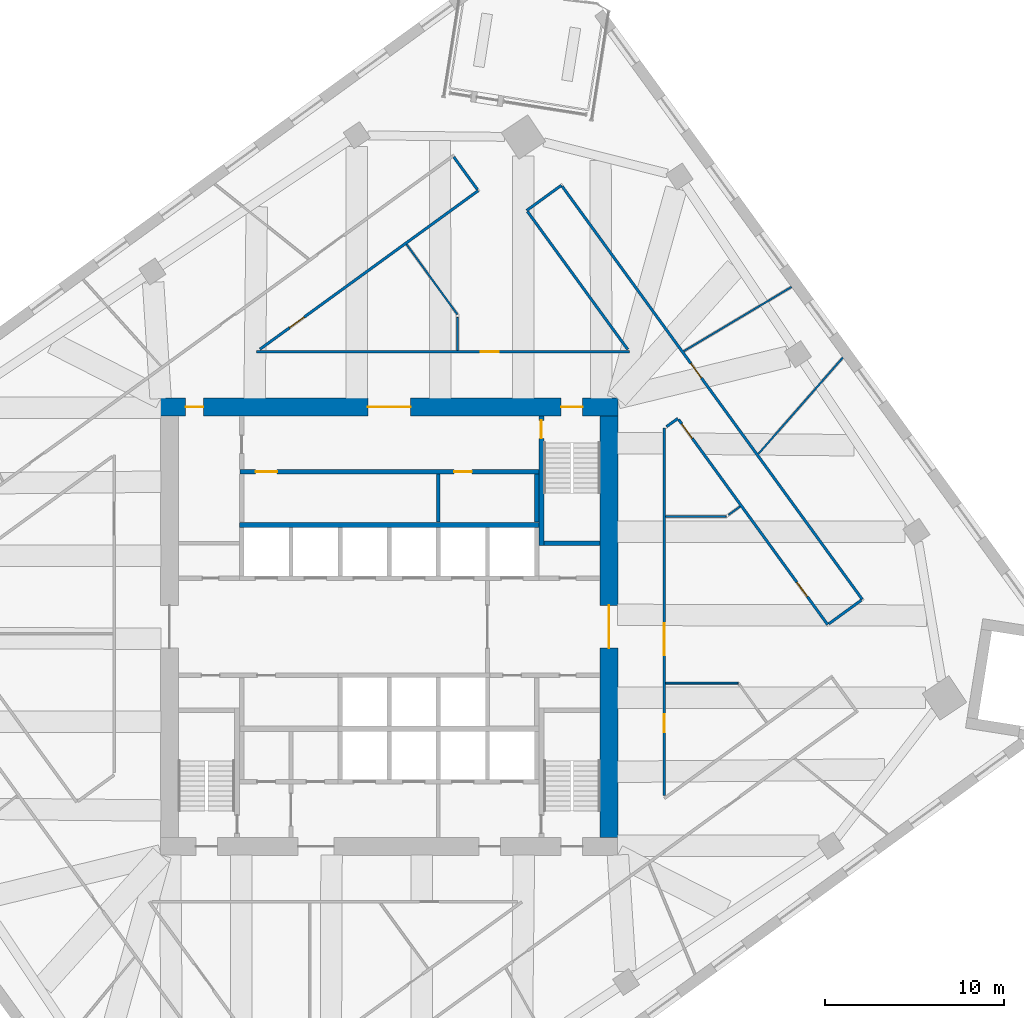
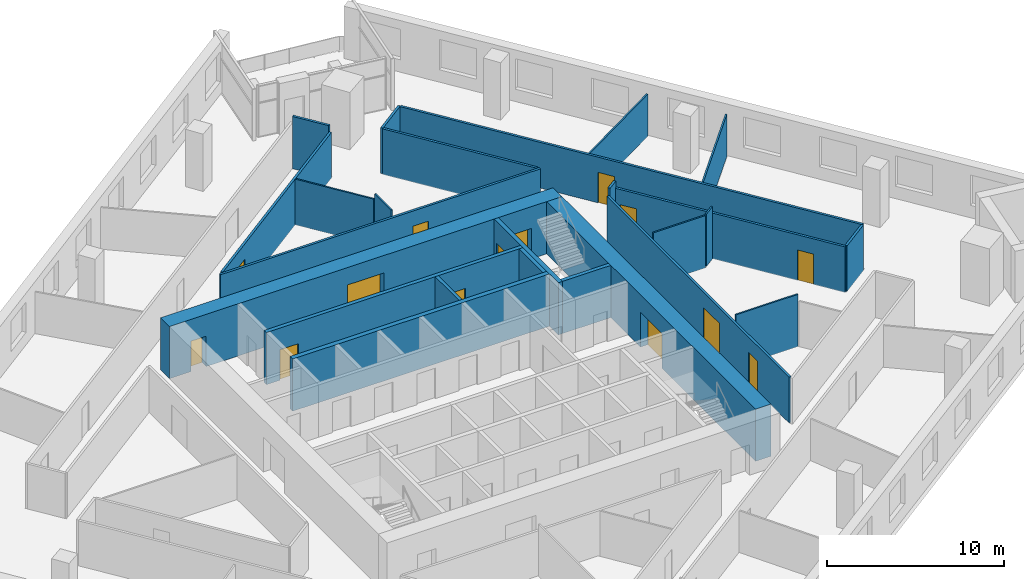
# One storey, part 8 of 11: 25 walls, 14 doors, 14 openings.
"""IFC4 building model written with IfcOpenShell, lengths in metres."""

from ifc_helpers import new_model, si_unit, direction, frame, frame_2d, origin, place, context, subcontext, project, spatial, rectangle, extrude, material, layer, layer_set, type_object, element, fill, save


model = new_model("IFC4")

# Units and contexts
model_context = context("Model", 3, precision=1e-05, world=origin(), true_north=direction((0.0, 1.0)))
body_context = subcontext(model_context, "Body", "Model", "MODEL_VIEW")
ifc_project = project(units=[si_unit("LENGTHUNIT", "METRE"), si_unit("AREAUNIT", "SQUARE_METRE"), si_unit("VOLUMEUNIT", "CUBIC_METRE"), si_unit("PLANEANGLEUNIT", "RADIAN"), si_unit("MASSUNIT", "GRAM", prefix="KILO")], contexts=[model_context])

# Site, building, storey
site_placement = place(None, origin())
site = spatial("IfcSite", under=ifc_project, at=site_placement, CompositionType="ELEMENT")
building_placement = place(site_placement, origin())
building = spatial("IfcBuilding", under=site, at=building_placement, Name="Dilmun Exchange Tower", CompositionType="ELEMENT")
storey_placement = place(building_placement, frame((0.0, 0.0, 163.699951171875)))
storey = spatial("IfcBuildingStorey", under=building, at=storey_placement, Name="L38", CompositionType="ELEMENT", Elevation=163.699951171875)

# Walls
ifc_material_1 = material(Name="Concrete C40/50", Category="concrete")
ifc_layer_1 = layer(ifc_material_1, 0.199951171875)
ifc_layer_set_1 = layer_set([ifc_layer_1], Name="Concrete C40/50")
wall_type_1 = type_object("IfcWallType", Name="Core partition wall 200", PredefinedType="PARTITIONING", material=ifc_layer_set_1)
wall_1_placement = place(storey_placement, frame((2.75, 5.85498046875, 0.0), z_axis=(0.0, 0.0, 1.0), x_axis=(0.0, 1.0, 0.0)))
element("IfcWall", 1, at=wall_1_placement, inside=storey, type_object=wall_type_1, Name="L38 core partition wall 16", PredefinedType="PARTITIONING", context=body_context, shape_type="SweptSolid", body=[
    extrude(rectangle(XDim=2.68994140625, YDim=0.199951171875, at=frame_2d((1.344970703125, 0.0))), origin(), (0.0, 0.0, 1.0), 3.60009765625),
])
ifc_layer_2 = layer(ifc_material_1, 0.25)
ifc_layer_set_2 = layer_set([ifc_layer_2], Name="Concrete C40/50")
wall_type_2 = type_object("IfcWallType", Name="Core partition wall 250", PredefinedType="PARTITIONING", material=ifc_layer_set_2)
wall_2_placement = place(storey_placement, frame((8.25, 5.85498046875, 0.0), z_axis=(0.0, 0.0, 1.0), x_axis=(0.0, 1.0, 0.0)))
element("IfcWall", 2, at=wall_2_placement, inside=storey, type_object=wall_type_2, Name="L38 core partition wall 17", PredefinedType="PARTITIONING", context=body_context, shape_type="SweptSolid", body=[
    extrude(rectangle(XDim=2.68994140625, YDim=0.25, at=frame_2d((1.344970703125, 0.0))), origin(), (0.0, 0.0, 1.0), 3.60009765625),
])

# Wall, openings, doors
wall_3_placement = place(storey_placement, frame((-8.35009765625, 8.675048828125, 0.0), z_axis=(0.0, 0.0, 1.0), x_axis=(1.0, 0.0, 0.0)))
wall_3 = element("IfcWall", 3, at=wall_3_placement, inside=storey, type_object=wall_type_2, Name="L38 core partition wall 18", PredefinedType="PARTITIONING", context=body_context, shape_type="SweptSolid", body=[
    extrude(rectangle(XDim=16.72021484375, YDim=0.25, at=frame_2d((8.360107421875, 0.0))), origin(), (0.0, 0.0, 1.0), 3.60009765625),
])
opening_1_placement = place(wall_3_placement, frame((0.875, 0.0, 0.0)))
opening_1 = element("IfcOpeningElement", 4, at=opening_1_placement, cuts=wall_3, Name="Opening CD3", PredefinedType="OPENING", context=body_context, shape_type="SweptSolid", body=[
    extrude(rectangle(XDim=1.199951171875, YDim=2.10009765625, at=frame_2d((0.60009765625, 1.050048828125))), frame((0.0, 0.135009765625, 0.0), z_axis=(0.0, -1.0, 0.0), x_axis=(1.0, 0.0, 0.0)), (0.0, 0.0, 1.0), 0.27001953125),
])
opening_2_placement = place(wall_3_placement, frame((11.97509765625, 0.0, 0.0)))
opening_2 = element("IfcOpeningElement", 5, at=opening_2_placement, cuts=wall_3, Name="Opening CD4", PredefinedType="OPENING", context=body_context, shape_type="SweptSolid", body=[
    extrude(rectangle(XDim=1.0, YDim=2.10009765625, at=frame_2d((0.5, 1.050048828125))), frame((0.0, 0.135009765625, 0.0), z_axis=(0.0, -1.0, 0.0), x_axis=(1.0, 0.0, 0.0)), (0.0, 0.0, 1.0), 0.27001953125),
])
ifc_material_2 = material(Name="Fire-rated steel door set", Category="steel")
door_type_1 = type_object("IfcDoorType", Name="Core room door 1000x2100", OperationType="SINGLE_SWING_LEFT", PredefinedType="DOOR", material=ifc_material_2)
door_1_placement = place(opening_2_placement, origin())
door_1 = element("IfcDoor", 6, at=door_1_placement, inside=storey, type_object=door_type_1, Name="L38 door Tenant services room", OperationType="SINGLE_SWING_LEFT", OverallHeight=2.10009765625, OverallWidth=1.0, PredefinedType="DOOR", context=body_context, shape_type="SweptSolid", body=[
    extrude(rectangle(XDim=1.0, YDim=2.10009765625, at=frame_2d((0.5, 1.050048828125))), frame((0.0, 0.02490234375, 0.0), z_axis=(0.0, -1.0, 0.0), x_axis=(1.0, 0.0, 0.0)), (0.0, 0.0, 1.0), 0.050048828125),
])
fill(opening_2, door_1)
door_type_2 = type_object("IfcDoorType", Name="Stair exit door 1200x2100", OperationType="SINGLE_SWING_LEFT", PredefinedType="DOOR", material=ifc_material_2)
door_2_placement = place(opening_1_placement, origin())
door_2 = element("IfcDoor", 7, at=door_2_placement, inside=storey, type_object=door_type_2, Name="L38 door Building management office", OperationType="SINGLE_SWING_LEFT", OverallHeight=2.10009765625, OverallWidth=1.199951171875, PredefinedType="DOOR", context=body_context, shape_type="SweptSolid", body=[
    extrude(rectangle(XDim=1.199951171875, YDim=2.10009765625, at=frame_2d((0.60009765625, 1.050048828125))), frame((0.0, 0.02490234375, 0.0), z_axis=(0.0, -1.0, 0.0), x_axis=(1.0, 0.0, 0.0)), (0.0, 0.0, 1.0), 0.050048828125),
])
fill(opening_1, door_2)

ifc_material_3 = material(Name="Concrete C70/85", Category="concrete")
ifc_layer_3 = layer(ifc_material_3, 1.0)
ifc_layer_set_3 = layer_set([ifc_layer_3], Name="Concrete C70/85")
wall_type_3 = type_object("IfcWallType", Name="Core shear wall 1000 Concrete C70/85", PredefinedType="SHEAR", material=ifc_layer_set_3)
wall_4_placement = place(storey_placement, frame((-12.800048828125, 12.300048828125, 0.0), z_axis=(0.0, 0.0, 1.0), x_axis=(1.0, 0.0, 0.0)))
wall_4 = element("IfcWall", 8, at=wall_4_placement, inside=storey, type_object=wall_type_3, Name="L38 core shear wall N", PredefinedType="SHEAR", context=body_context, shape_type="SweptSolid", body=[
    extrude(rectangle(XDim=25.60009765625, YDim=1.0, at=frame_2d((12.800048828125, 0.0))), origin(), (0.0, 0.0, 1.0), 3.60009765625),
])
opening_3_placement = place(wall_4_placement, frame((11.60009765625, 0.0, 0.0)))
opening_3 = element("IfcOpeningElement", 9, at=opening_3_placement, cuts=wall_4, Name="Opening CD1", PredefinedType="OPENING", context=body_context, shape_type="SweptSolid", body=[
    extrude(rectangle(XDim=2.39990234375, YDim=2.39990234375, at=frame_2d((1.199951171875, 1.199951171875))), frame((0.0, 0.510009765625, 0.0), z_axis=(0.0, -1.0, 0.0), x_axis=(1.0, 0.0, 0.0)), (0.0, 0.0, 1.0), 1.02001953125),
])
opening_4_placement = place(wall_4_placement, frame((22.425048828125, 0.0, 0.0)))
opening_4 = element("IfcOpeningElement", 10, at=opening_4_placement, cuts=wall_4, Name="Opening CD3", PredefinedType="OPENING", context=body_context, shape_type="SweptSolid", body=[
    extrude(rectangle(XDim=1.199951171875, YDim=2.10009765625, at=frame_2d((0.60009765625, 1.050048828125))), frame((0.0, 0.510009765625, 0.0), z_axis=(0.0, -1.0, 0.0), x_axis=(1.0, 0.0, 0.0)), (0.0, 0.0, 1.0), 1.02001953125),
])
opening_5_placement = place(wall_4_placement, frame((1.39990234375, 0.0, 0.0)))
opening_5 = element("IfcOpeningElement", 11, at=opening_5_placement, cuts=wall_4, Name="Opening CD4", PredefinedType="OPENING", context=body_context, shape_type="SweptSolid", body=[
    extrude(rectangle(XDim=1.0, YDim=2.10009765625, at=frame_2d((0.5, 1.050048828125))), frame((0.0, 0.510009765625, 0.0), z_axis=(0.0, -1.0, 0.0), x_axis=(1.0, 0.0, 0.0)), (0.0, 0.0, 1.0), 1.02001953125),
])
door_type_3 = type_object("IfcDoorType", Name="Core lobby door 2400x2400", OperationType="DOUBLE_DOOR_DOUBLE_SWING", PredefinedType="DOOR", material=ifc_material_2)
door_3_placement = place(opening_3_placement, origin())
door_3 = element("IfcDoor", 12, at=door_3_placement, inside=storey, type_object=door_type_3, Name="L38 door North lift lobby", OperationType="SINGLE_SWING_LEFT", OverallHeight=2.39990234375, OverallWidth=2.39990234375, PredefinedType="DOOR", context=body_context, shape_type="SweptSolid", body=[
    extrude(rectangle(XDim=2.39990234375, YDim=2.39990234375, at=frame_2d((1.199951171875, 1.199951171875))), frame((0.0, 0.02490234375, 0.0), z_axis=(0.0, -1.0, 0.0), x_axis=(1.0, 0.0, 0.0)), (0.0, 0.0, 1.0), 0.050048828125),
])
fill(opening_3, door_3)
door_4_placement = place(opening_5_placement, origin())
door_4 = element("IfcDoor", 13, at=door_4_placement, inside=storey, type_object=door_type_1, Name="L38 door North-west core rooms", OperationType="SINGLE_SWING_LEFT", OverallHeight=2.10009765625, OverallWidth=1.0, PredefinedType="DOOR", context=body_context, shape_type="SweptSolid", body=[
    extrude(rectangle(XDim=1.0, YDim=2.10009765625, at=frame_2d((0.5, 1.050048828125))), frame((0.0, 0.02490234375, 0.0), z_axis=(0.0, -1.0, 0.0), x_axis=(1.0, 0.0, 0.0)), (0.0, 0.0, 1.0), 0.050048828125),
])
fill(opening_5, door_4)
door_5_placement = place(opening_4_placement, origin())
door_5 = element("IfcDoor", 14, at=door_5_placement, inside=storey, type_object=door_type_2, Name="L38 door Stair ST1", OperationType="SINGLE_SWING_LEFT", OverallHeight=2.10009765625, OverallWidth=1.199951171875, PredefinedType="DOOR", context=body_context, shape_type="SweptSolid", body=[
    extrude(rectangle(XDim=1.199951171875, YDim=2.10009765625, at=frame_2d((0.60009765625, 1.050048828125))), frame((0.0, 0.02490234375, 0.0), z_axis=(0.0, -1.0, 0.0), x_axis=(1.0, 0.0, 0.0)), (0.0, 0.0, 1.0), 0.050048828125),
])
fill(opening_4, door_5)

# Wall, opening, door
wall_5_placement = place(storey_placement, frame((12.300048828125, -11.800048828125, 0.0), z_axis=(0.0, 0.0, 1.0), x_axis=(0.0, 1.0, 0.0)))
wall_5 = element("IfcWall", 15, at=wall_5_placement, inside=storey, type_object=wall_type_3, Name="L38 core shear wall E", PredefinedType="SHEAR", context=body_context, shape_type="SweptSolid", body=[
    extrude(rectangle(XDim=23.60009765625, YDim=1.0, at=frame_2d((11.800048828125, 0.0))), origin(), (0.0, 0.0, 1.0), 3.60009765625),
])
opening_6_placement = place(wall_5_placement, frame((10.60009765625, 0.0, 0.0)))
opening_6 = element("IfcOpeningElement", 16, at=opening_6_placement, cuts=wall_5, Name="Opening CD1", PredefinedType="OPENING", context=body_context, shape_type="SweptSolid", body=[
    extrude(rectangle(XDim=2.39990234375, YDim=2.39990234375, at=frame_2d((1.199951171875, 1.199951171875))), frame((0.0, 0.510009765625, 0.0), z_axis=(0.0, -1.0, 0.0), x_axis=(1.0, 0.0, 0.0)), (0.0, 0.0, 1.0), 1.02001953125),
])
door_6_placement = place(opening_6_placement, origin())
door_6 = element("IfcDoor", 17, at=door_6_placement, inside=storey, type_object=door_type_3, Name="L38 door Central lift lobby", OperationType="SINGLE_SWING_LEFT", OverallHeight=2.39990234375, OverallWidth=2.39990234375, PredefinedType="DOOR", context=body_context, shape_type="SweptSolid", body=[
    extrude(rectangle(XDim=2.39990234375, YDim=2.39990234375, at=frame_2d((1.199951171875, 1.199951171875))), frame((0.0, 0.02490234375, 0.0), z_axis=(0.0, -1.0, 0.0), x_axis=(1.0, 0.0, 0.0)), (0.0, 0.0, 1.0), 0.050048828125),
])
fill(opening_6, door_6)

ifc_material_4 = material(Name="Corridor wall 150")
ifc_layer_4 = layer(ifc_material_4, 0.14990234375)
ifc_layer_set_4 = layer_set([ifc_layer_4], Name="Corridor wall 150")
wall_type_4 = type_object("IfcWallType", Name="Corridor wall 150", PredefinedType="PARTITIONING", material=ifc_layer_set_4)
wall_6_placement = place(storey_placement, frame((-7.422119140625, 15.39990234375, 0.0), z_axis=(0.0, 0.0, 1.0), x_axis=(1.0, 0.0, 0.0)))
wall_6 = element("IfcWall", 18, at=wall_6_placement, inside=storey, type_object=wall_type_4, Name="Corridor wall", PredefinedType="PARTITIONING", context=body_context, shape_type="SweptSolid", body=[
    extrude(rectangle(XDim=20.858154296875, YDim=0.14990234375, at=frame_2d((10.42919921875, 0.0))), origin(), (0.0, 0.0, 1.0), 3.150146484375),
])
opening_7_placement = place(wall_6_placement, frame((12.5419921875, 0.0, 0.0)))
opening_7 = element("IfcOpeningElement", 19, at=opening_7_placement, cuts=wall_6, Name="Opening TF38-D14", PredefinedType="OPENING", context=body_context, shape_type="SweptSolid", body=[
    extrude(rectangle(XDim=1.0, YDim=2.10009765625, at=frame_2d((0.5, 1.050048828125))), frame((0.0, 0.0849609375, 0.0), z_axis=(0.0, -1.0, 0.0), x_axis=(1.0, 0.0, 0.0)), (0.0, 0.0, 1.0), 0.169921875),
])
ifc_material_5 = material(Name="Fire door 1000 x 2100")
door_type_4 = type_object("IfcDoorType", Name="Fire door 1000 x 2100", OperationType="NOTDEFINED", PredefinedType="DOOR", material=ifc_material_5)
door_7_placement = place(opening_7_placement, origin())
door_7 = element("IfcDoor", 20, at=door_7_placement, inside=storey, type_object=door_type_4, Name="Door TF38-D14", OperationType="SINGLE_SWING_LEFT", OverallHeight=2.10009765625, OverallWidth=1.0, PredefinedType="DOOR", context=body_context, shape_type="SweptSolid", body=[
    extrude(rectangle(XDim=1.0, YDim=2.10009765625, at=frame_2d((0.5, 1.050048828125))), frame((0.0, 0.02490234375, 0.0), z_axis=(0.0, -1.0, 0.0), x_axis=(1.0, 0.0, 0.0)), (0.0, 0.0, 1.0), 0.050048828125),
])
fill(opening_7, door_7)

wall_7_placement = place(storey_placement, frame((-7.2353515625, 15.53564453125, 0.0), z_axis=(0.0, 0.0, 1.0), x_axis=(0.809007989402, 0.587797646375, 0.0)))
wall_7 = element("IfcWall", 21, at=wall_7_placement, inside=storey, type_object=wall_type_4, Name="Corridor wall", PredefinedType="PARTITIONING", context=body_context, shape_type="SweptSolid", body=[
    extrude(rectangle(XDim=15.09912109375, YDim=0.14990234375, at=frame_2d((7.549560546875, 0.0))), origin(), (0.0, 0.0, 1.0), 3.150146484375),
])
opening_8_placement = place(wall_7_placement, frame((2.050048828125, 0.0, 0.0)))
opening_8 = element("IfcOpeningElement", 22, at=opening_8_placement, cuts=wall_7, Name="Opening TF38-D10", PredefinedType="OPENING", context=body_context, shape_type="SweptSolid", body=[
    extrude(rectangle(XDim=1.0, YDim=2.10009765625, at=frame_2d((0.5, 1.050048828125))), frame((0.0, 0.0849609375, 0.0), z_axis=(0.0, -1.0, 0.0), x_axis=(1.0, 0.0, 0.0)), (0.0, 0.0, 1.0), 0.169921875),
])
door_8_placement = place(opening_8_placement, frame((1.0, 0.0, 0.0), z_axis=(0.0, 0.0, 1.0), x_axis=(-1.0, 0.0, 0.0)))
door_8 = element("IfcDoor", 23, at=door_8_placement, inside=storey, type_object=door_type_4, Name="Door TF38-D10", OperationType="SINGLE_SWING_LEFT", OverallHeight=2.10009765625, OverallWidth=1.0, PredefinedType="DOOR", context=body_context, shape_type="SweptSolid", body=[
    extrude(rectangle(XDim=1.0, YDim=2.10009765625, at=frame_2d((0.5, 1.050048828125))), frame((0.0, 0.02490234375, 0.0), z_axis=(0.0, -1.0, 0.0), x_axis=(1.0, 0.0, 0.0)), (0.0, 0.0, 1.0), 0.050048828125),
])
fill(opening_8, door_8)

# Walls
wall_8_placement = place(storey_placement, frame((3.614013671875, 26.292236328125, 0.0), z_axis=(0.0, 0.0, 1.0), x_axis=(0.587513359373, -0.809214466355, 0.0)))
element("IfcWall", 24, at=wall_8_placement, inside=storey, type_object=wall_type_4, Name="Corridor wall", PredefinedType="PARTITIONING", context=body_context, shape_type="SweptSolid", body=[
    extrude(rectangle(XDim=2.249755859375, YDim=0.14990234375, at=frame_2d((1.125, 0.0))), origin(), (0.0, 0.0, 1.0), 3.60009765625),
])
wall_9_placement = place(storey_placement, frame((7.695068359375, 23.302001953125, 0.0), z_axis=(0.0, 0.0, 1.0), x_axis=(0.809013089606, 0.587790626708, 0.0)))
element("IfcWall", 25, at=wall_9_placement, inside=storey, type_object=wall_type_4, Name="Corridor wall", PredefinedType="PARTITIONING", context=body_context, shape_type="SweptSolid", body=[
    extrude(rectangle(XDim=2.400390625, YDim=0.14990234375, at=frame_2d((1.2001953125, 0.0))), origin(), (0.0, 0.0, 1.0), 3.150146484375),
])
wall_10_placement = place(storey_placement, frame((7.739013671875, 23.2412109375, 0.0), z_axis=(0.0, 0.0, 1.0), x_axis=(0.587792950245, -0.809011401429, 0.0)))
element("IfcWall", 26, at=wall_10_placement, inside=storey, type_object=wall_type_4, Name="Corridor wall", PredefinedType="PARTITIONING", context=body_context, shape_type="SweptSolid", body=[
    extrude(rectangle(XDim=9.545166015625, YDim=0.14990234375, at=frame_2d((4.7724609375, 0.0))), origin(), (0.0, 0.0, 1.0), 3.150146484375),
])

# Wall, opening, door
wall_11_placement = place(storey_placement, frame((9.68115234375, 24.65234375, 0.0), z_axis=(0.0, 0.0, 1.0), x_axis=(0.58776328895, -0.809032951222, 0.0)))
wall_11 = element("IfcWall", 27, at=wall_11_placement, inside=storey, type_object=wall_type_4, Name="Corridor wall", PredefinedType="PARTITIONING", context=body_context, shape_type="SweptSolid", body=[
    extrude(rectangle(XDim=28.58251953125, YDim=0.14990234375, at=frame_2d((14.291259765625, 0.0))), origin(), (0.0, 0.0, 1.0), 3.150146484375),
])
opening_9_placement = place(wall_11_placement, frame((12.255859375, 0.0, 0.0)))
opening_9 = element("IfcOpeningElement", 28, at=opening_9_placement, cuts=wall_11, Name="Opening TF38-D19", PredefinedType="OPENING", context=body_context, shape_type="SweptSolid", body=[
    extrude(rectangle(XDim=1.0, YDim=2.10009765625, at=frame_2d((0.5, 1.050048828125))), frame((0.0, 0.0849609375, 0.0), z_axis=(0.0, -1.0, 0.0), x_axis=(1.0, 0.0, 0.0)), (0.0, 0.0, 1.0), 0.169921875),
])
door_9_placement = place(opening_9_placement, origin())
door_9 = element("IfcDoor", 29, at=door_9_placement, inside=storey, type_object=door_type_4, Name="Door TF38-D19", OperationType="SINGLE_SWING_RIGHT", OverallHeight=2.10009765625, OverallWidth=1.0, PredefinedType="DOOR", context=body_context, shape_type="SweptSolid", body=[
    extrude(rectangle(XDim=1.0, YDim=2.10009765625, at=frame_2d((0.5, 1.050048828125))), frame((0.0, 0.02490234375, 0.0), z_axis=(0.0, -1.0, 0.0), x_axis=(1.0, 0.0, 0.0)), (0.0, 0.0, 1.0), 0.050048828125),
])
fill(opening_9, door_9)

# Wall, openings, doors
wall_12_placement = place(storey_placement, frame((15.39990234375, -9.456787109375, 0.0), z_axis=(0.0, 0.0, 1.0), x_axis=(0.0, 1.0, 0.0)))
wall_12 = element("IfcWall", 30, at=wall_12_placement, inside=storey, type_object=wall_type_4, Name="Corridor wall", PredefinedType="PARTITIONING", context=body_context, shape_type="SweptSolid", body=[
    extrude(rectangle(XDim=20.57080078125, YDim=0.14990234375, at=frame_2d((10.285400390625, 0.0))), origin(), (0.0, 0.0, 1.0), 3.150146484375),
])
opening_10_placement = place(wall_12_placement, frame((3.550048828125, 0.0, 0.0)))
opening_10 = element("IfcOpeningElement", 31, at=opening_10_placement, cuts=wall_12, Name="Opening TF38-D17", PredefinedType="OPENING", context=body_context, shape_type="SweptSolid", body=[
    extrude(rectangle(XDim=1.0, YDim=2.10009765625, at=frame_2d((0.5, 1.050048828125))), frame((0.0, 0.0849609375, 0.0), z_axis=(0.0, -1.0, 0.0), x_axis=(1.0, 0.0, 0.0)), (0.0, 0.0, 1.0), 0.169921875),
])
opening_11_placement = place(wall_12_placement, frame((7.853271484375, 0.0, 0.0)))
opening_11 = element("IfcOpeningElement", 32, at=opening_11_placement, cuts=wall_12, Name="Opening TF38-D20", PredefinedType="OPENING", context=body_context, shape_type="SweptSolid", body=[
    extrude(rectangle(XDim=1.800048828125, YDim=2.10009765625, at=frame_2d((0.89990234375, 1.050048828125))), frame((0.0, 0.0849609375, 0.0), z_axis=(0.0, -1.0, 0.0), x_axis=(1.0, 0.0, 0.0)), (0.0, 0.0, 1.0), 0.169921875),
])
door_10_placement = place(opening_10_placement, frame((1.0, 0.0, 0.0), z_axis=(0.0, 0.0, 1.0), x_axis=(-1.0, 0.0, 0.0)))
door_10 = element("IfcDoor", 33, at=door_10_placement, inside=storey, type_object=door_type_4, Name="Door TF38-D17", OperationType="SINGLE_SWING_LEFT", OverallHeight=2.10009765625, OverallWidth=1.0, PredefinedType="DOOR", context=body_context, shape_type="SweptSolid", body=[
    extrude(rectangle(XDim=1.0, YDim=2.10009765625, at=frame_2d((0.5, 1.050048828125))), frame((0.0, 0.02490234375, 0.0), z_axis=(0.0, -1.0, 0.0), x_axis=(1.0, 0.0, 0.0)), (0.0, 0.0, 1.0), 0.050048828125),
])
fill(opening_10, door_10)
ifc_material_6 = material(Name="Fire door pair 1800 x 2100")
door_type_5 = type_object("IfcDoorType", Name="Fire door pair 1800 x 2100", OperationType="NOTDEFINED", PredefinedType="DOOR", material=ifc_material_6)
door_11_placement = place(opening_11_placement, frame((1.800048828125, 0.0, 0.0), z_axis=(0.0, 0.0, 1.0), x_axis=(-1.0, 0.0, 0.0)))
door_11 = element("IfcDoor", 34, at=door_11_placement, inside=storey, type_object=door_type_5, Name="Door TF38-D20", OperationType="DOUBLE_DOOR_SINGLE_SWING", OverallHeight=2.10009765625, OverallWidth=1.800048828125, PredefinedType="DOOR", context=body_context, shape_type="SweptSolid", body=[
    extrude(rectangle(XDim=1.800048828125, YDim=2.10009765625, at=frame_2d((0.89990234375, 1.050048828125))), frame((0.0, 0.02490234375, 0.0), z_axis=(0.0, -1.0, 0.0), x_axis=(1.0, 0.0, 0.0)), (0.0, 0.0, 1.0), 0.050048828125),
])
fill(opening_11, door_11)

# Wall
wall_13_placement = place(storey_placement, frame((15.51904296875, 11.200439453125, 0.0), z_axis=(0.0, 0.0, 1.0), x_axis=(0.809140088661, 0.587615790225, 0.0)))
element("IfcWall", 35, at=wall_13_placement, inside=storey, type_object=wall_type_4, Name="Corridor wall", PredefinedType="PARTITIONING", context=body_context, shape_type="SweptSolid", body=[
    extrude(rectangle(XDim=0.78369140625, YDim=0.14990234375, at=frame_2d((0.391845703125, 0.0))), origin(), (0.0, 0.0, 1.0), 3.60009765625),
])

# Wall, openings, doors
wall_14_placement = place(storey_placement, frame((16.197021484375, 11.600341796875, 0.0), z_axis=(0.0, 0.0, 1.0), x_axis=(0.587765569966, -0.809031294057, 0.0)))
wall_14 = element("IfcWall", 36, at=wall_14_placement, inside=storey, type_object=wall_type_4, Name="Corridor wall", PredefinedType="PARTITIONING", context=body_context, shape_type="SweptSolid", body=[
    extrude(rectangle(XDim=14.19287109375, YDim=0.14990234375, at=frame_2d((7.096435546875, 0.0))), origin(), (0.0, 0.0, 1.0), 3.150146484375),
])
opening_12_placement = place(wall_14_placement, frame((0.300048828125, 0.0, 0.0)))
opening_12 = element("IfcOpeningElement", 37, at=opening_12_placement, cuts=wall_14, Name="Opening TF38-D16", PredefinedType="OPENING", context=body_context, shape_type="SweptSolid", body=[
    extrude(rectangle(XDim=1.0, YDim=2.10009765625, at=frame_2d((0.5, 1.050048828125))), frame((0.0, 0.0849609375, 0.0), z_axis=(0.0, -1.0, 0.0), x_axis=(1.0, 0.0, 0.0)), (0.0, 0.0, 1.0), 0.169921875),
])
opening_13_placement = place(wall_14_placement, frame((11.259521484375, 0.0, 0.0)))
opening_13 = element("IfcOpeningElement", 38, at=opening_13_placement, cuts=wall_14, Name="Opening TF38-D21", PredefinedType="OPENING", context=body_context, shape_type="SweptSolid", body=[
    extrude(rectangle(XDim=1.0, YDim=2.10009765625, at=frame_2d((0.5, 1.050048828125))), frame((0.0, 0.0849609375, 0.0), z_axis=(0.0, -1.0, 0.0), x_axis=(1.0, 0.0, 0.0)), (0.0, 0.0, 1.0), 0.169921875),
])
door_12_placement = place(opening_12_placement, frame((1.0, 0.0, 0.0), z_axis=(0.0, 0.0, 1.0), x_axis=(-1.0, 0.0, 0.0)))
door_12 = element("IfcDoor", 39, at=door_12_placement, inside=storey, type_object=door_type_4, Name="Door TF38-D16", OperationType="SINGLE_SWING_LEFT", OverallHeight=2.10009765625, OverallWidth=1.0, PredefinedType="DOOR", context=body_context, shape_type="SweptSolid", body=[
    extrude(rectangle(XDim=1.0, YDim=2.10009765625, at=frame_2d((0.5, 1.050048828125))), frame((0.0, 0.02490234375, 0.0), z_axis=(0.0, -1.0, 0.0), x_axis=(1.0, 0.0, 0.0)), (0.0, 0.0, 1.0), 0.050048828125),
])
fill(opening_12, door_12)
door_13_placement = place(opening_13_placement, frame((1.0, 0.0, 0.0), z_axis=(0.0, 0.0, 1.0), x_axis=(-1.0, 0.0, 0.0)))
door_13 = element("IfcDoor", 40, at=door_13_placement, inside=storey, type_object=door_type_4, Name="Door TF38-D21", OperationType="SINGLE_SWING_RIGHT", OverallHeight=2.10009765625, OverallWidth=1.0, PredefinedType="DOOR", context=body_context, shape_type="SweptSolid", body=[
    extrude(rectangle(XDim=1.0, YDim=2.10009765625, at=frame_2d((0.5, 1.050048828125))), frame((0.0, 0.02490234375, 0.0), z_axis=(0.0, -1.0, 0.0), x_axis=(1.0, 0.0, 0.0)), (0.0, 0.0, 1.0), 0.050048828125),
])
fill(opening_13, door_13)

# Walls
wall_15_placement = place(storey_placement, frame((24.599609375, 0.162109375, 0.0), z_axis=(0.0, 0.0, 1.0), x_axis=(0.809251918594, 0.587461770886, 0.0)))
element("IfcWall", 41, at=wall_15_placement, inside=storey, type_object=wall_type_4, Name="Corridor wall", PredefinedType="PARTITIONING", context=body_context, shape_type="SweptSolid", body=[
    extrude(rectangle(XDim=2.25, YDim=0.14990234375, at=frame_2d((1.125, 0.0))), origin(), (0.0, 0.0, 1.0), 3.150146484375),
])
ifc_layer_5 = layer(ifc_material_1, 0.300048828125)
ifc_layer_set_5 = layer_set([ifc_layer_5], Name="Concrete C40/50")
wall_type_5 = type_object("IfcWallType", Name="Lift shaft shared wall 300", PredefinedType="SOLIDWALL", material=ifc_layer_set_5)
wall_16_placement = place(storey_placement, frame((-8.375, 5.699951171875, 0.0), z_axis=(0.0, 0.0, 1.0), x_axis=(1.0, 0.0, 0.0)))
element("IfcWall", 42, at=wall_16_placement, inside=storey, type_object=wall_type_5, Name="L38 lift shaft rear wall N", PredefinedType="SOLIDWALL", context=body_context, shape_type="SweptSolid", body=[
    extrude(rectangle(XDim=16.75, YDim=0.300048828125, at=frame_2d((8.375, 0.0))), origin(), (0.0, 0.0, 1.0), 3.60009765625),
])
ifc_material_7 = material(Name="Partition 100")
ifc_layer_6 = layer(ifc_material_7, 0.10009765625)
ifc_layer_set_6 = layer_set([ifc_layer_6], Name="Partition 100")
wall_type_6 = type_object("IfcWallType", Name="Partition 100", PredefinedType="PARTITIONING", material=ifc_layer_set_6)
wall_17_placement = place(storey_placement, frame((0.967041015625, 21.4033203125, 0.0), z_axis=(0.0, 0.0, 1.0), x_axis=(0.587746963967, -0.809044811088, 0.0)))
element("IfcWall", 43, at=wall_17_placement, inside=storey, type_object=wall_type_6, Name="Partition", PredefinedType="PARTITIONING", context=body_context, shape_type="SweptSolid", body=[
    extrude(rectangle(XDim=4.854248046875, YDim=0.10009765625, at=frame_2d((2.42724609375, 0.0))), origin(), (0.0, 0.0, 1.0), 3.150146484375),
])
wall_18_placement = place(storey_placement, frame((3.820068359375, 15.47509765625, 0.0), z_axis=(0.0, 0.0, 1.0), x_axis=(0.0, 1.0, 0.0)))
element("IfcWall", 44, at=wall_18_placement, inside=storey, type_object=wall_type_6, Name="Partition", PredefinedType="PARTITIONING", context=body_context, shape_type="SweptSolid", body=[
    extrude(rectangle(XDim=1.846923828125, YDim=0.10009765625, at=frame_2d((0.92333984375, 0.0))), origin(), (0.0, 0.0, 1.0), 3.60009765625),
])
wall_19_placement = place(storey_placement, frame((15.47509765625, -3.154052734375, 0.0), z_axis=(0.0, 0.0, 1.0), x_axis=(1.0, 0.0, 0.0)))
element("IfcWall", 45, at=wall_19_placement, inside=storey, type_object=wall_type_6, Name="Partition", PredefinedType="PARTITIONING", context=body_context, shape_type="SweptSolid", body=[
    extrude(rectangle(XDim=4.056884765625, YDim=0.10009765625, at=frame_2d((2.0283203125, 0.0))), origin(), (0.0, 0.0, 1.0), 3.60009765625),
])
wall_20_placement = place(storey_placement, frame((15.47509765625, 6.169921875, 0.0), z_axis=(0.0, 0.0, 1.0), x_axis=(1.0, 0.0, 0.0)))
element("IfcWall", 46, at=wall_20_placement, inside=storey, type_object=wall_type_6, Name="Partition", PredefinedType="PARTITIONING", context=body_context, shape_type="SweptSolid", body=[
    extrude(rectangle(XDim=3.386962890625, YDim=0.10009765625, at=frame_2d((1.693359375, 0.0))), origin(), (0.0, 0.0, 1.0), 3.60009765625),
])
wall_21_placement = place(storey_placement, frame((16.482666015625, 15.4248046875, 0.0), z_axis=(0.0, 0.0, 1.0), x_axis=(0.858967254215, 0.51203052271, 0.0)))
element("IfcWall", 47, at=wall_21_placement, inside=storey, type_object=wall_type_6, Name="Partition", PredefinedType="PARTITIONING", context=body_context, shape_type="SweptSolid", body=[
    extrude(rectangle(XDim=7.02587890625, YDim=0.10009765625, at=frame_2d((3.512939453125, 0.0))), origin(), (0.0, 0.0, 1.0), 2.900146484375),
])
wall_22_placement = place(storey_placement, frame((18.986572265625, 6.260498046875, 0.0), z_axis=(0.0, 0.0, 1.0), x_axis=(0.80898458322, 0.587829859834, 0.0)))
element("IfcWall", 48, at=wall_22_placement, inside=storey, type_object=wall_type_6, Name="Partition", PredefinedType="PARTITIONING", context=body_context, shape_type="SweptSolid", body=[
    extrude(rectangle(XDim=0.806884765625, YDim=0.10009765625, at=frame_2d((0.4033203125, 0.0))), origin(), (0.0, 0.0, 1.0), 3.60009765625),
])
wall_23_placement = place(storey_placement, frame((20.664306640625, 9.680419921875, 0.0), z_axis=(0.0, 0.0, 1.0), x_axis=(0.659403704838, 0.751789035598, 0.0)))
element("IfcWall", 49, at=wall_23_placement, inside=storey, type_object=wall_type_6, Name="Partition", PredefinedType="PARTITIONING", context=body_context, shape_type="SweptSolid", body=[
    extrude(rectangle(XDim=7.166748046875, YDim=0.10009765625, at=frame_2d((3.58349609375, 0.0))), origin(), (0.0, 0.0, 1.0), 2.900146484375),
])
ifc_layer_7 = layer(ifc_material_1, 0.25)
ifc_layer_set_7 = layer_set([ifc_layer_7], Name="Concrete C40/50")
wall_type_7 = type_object("IfcWallType", Name="Stair end wall 250", PredefinedType="SOLIDWALL", material=ifc_layer_set_7)
wall_24_placement = place(storey_placement, frame((8.64990234375, 4.675048828125, 0.0), z_axis=(0.0, 0.0, 1.0), x_axis=(1.0, 0.0, 0.0)))
element("IfcWall", 50, at=wall_24_placement, inside=storey, type_object=wall_type_7, Name="L38 ST1 far wall", PredefinedType="SOLIDWALL", context=body_context, shape_type="SweptSolid", body=[
    extrude(rectangle(XDim=3.150146484375, YDim=0.25, at=frame_2d((1.5751953125, 0.0))), origin(), (0.0, 0.0, 1.0), 3.60009765625),
])

# Wall, opening, door
ifc_layer_8 = layer(ifc_material_1, 0.27490234375)
ifc_layer_set_8 = layer_set([ifc_layer_8], Name="Concrete C40/50")
wall_type_8 = type_object("IfcWallType", Name="Stair wall 275", PredefinedType="SOLIDWALL", material=ifc_layer_set_8)
wall_25_placement = place(storey_placement, frame((8.512451171875, 4.550048828125, 0.0), z_axis=(0.0, 0.0, 1.0), x_axis=(0.0, 1.0, 0.0)))
wall_25 = element("IfcWall", 51, at=wall_25_placement, inside=storey, type_object=wall_type_8, Name="L38 ST1 wall to lift block", PredefinedType="SOLIDWALL", context=body_context, shape_type="SweptSolid", body=[
    extrude(rectangle(XDim=7.25, YDim=0.27490234375, at=frame_2d((3.625, 0.0))), origin(), (0.0, 0.0, 1.0), 3.60009765625),
])
opening_14_placement = place(wall_25_placement, frame((6.0, 0.0, 0.0)))
opening_14 = element("IfcOpeningElement", 52, at=opening_14_placement, cuts=wall_25, Name="Opening CD4", PredefinedType="OPENING", context=body_context, shape_type="SweptSolid", body=[
    extrude(rectangle(XDim=1.0, YDim=2.10009765625, at=frame_2d((0.5, 1.050048828125))), frame((0.0, 0.1474609375, 0.0), z_axis=(0.0, -1.0, 0.0), x_axis=(1.0, 0.0, 0.0)), (0.0, 0.0, 1.0), 0.294921875),
])
door_14_placement = place(opening_14_placement, origin())
door_14 = element("IfcDoor", 53, at=door_14_placement, inside=storey, type_object=door_type_1, Name="L38 door ST1 from lobby", OperationType="SINGLE_SWING_LEFT", OverallHeight=2.10009765625, OverallWidth=1.0, PredefinedType="DOOR", context=body_context, shape_type="SweptSolid", body=[
    extrude(rectangle(XDim=1.0, YDim=2.10009765625, at=frame_2d((0.5, 1.050048828125))), frame((0.0, 0.02490234375, 0.0), z_axis=(0.0, -1.0, 0.0), x_axis=(1.0, 0.0, 0.0)), (0.0, 0.0, 1.0), 0.050048828125),
])
fill(opening_14, door_14)

save(model, "model.ifc")
